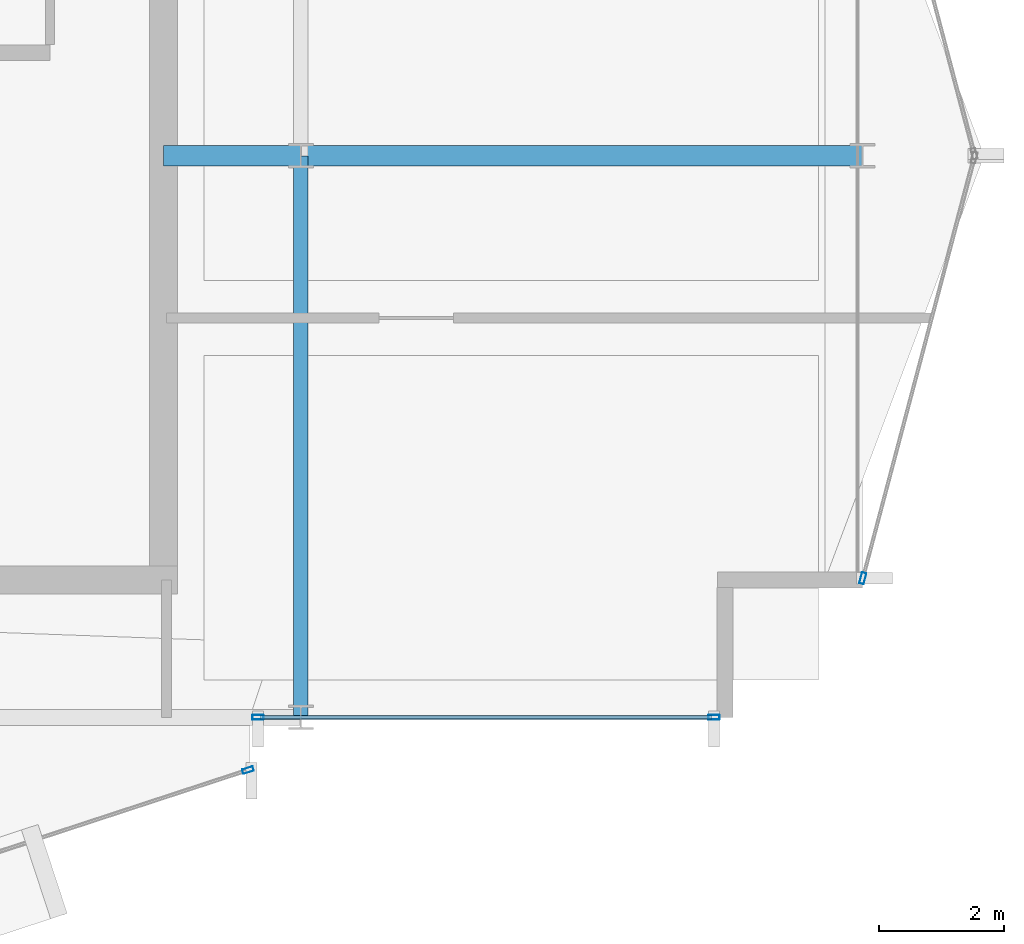
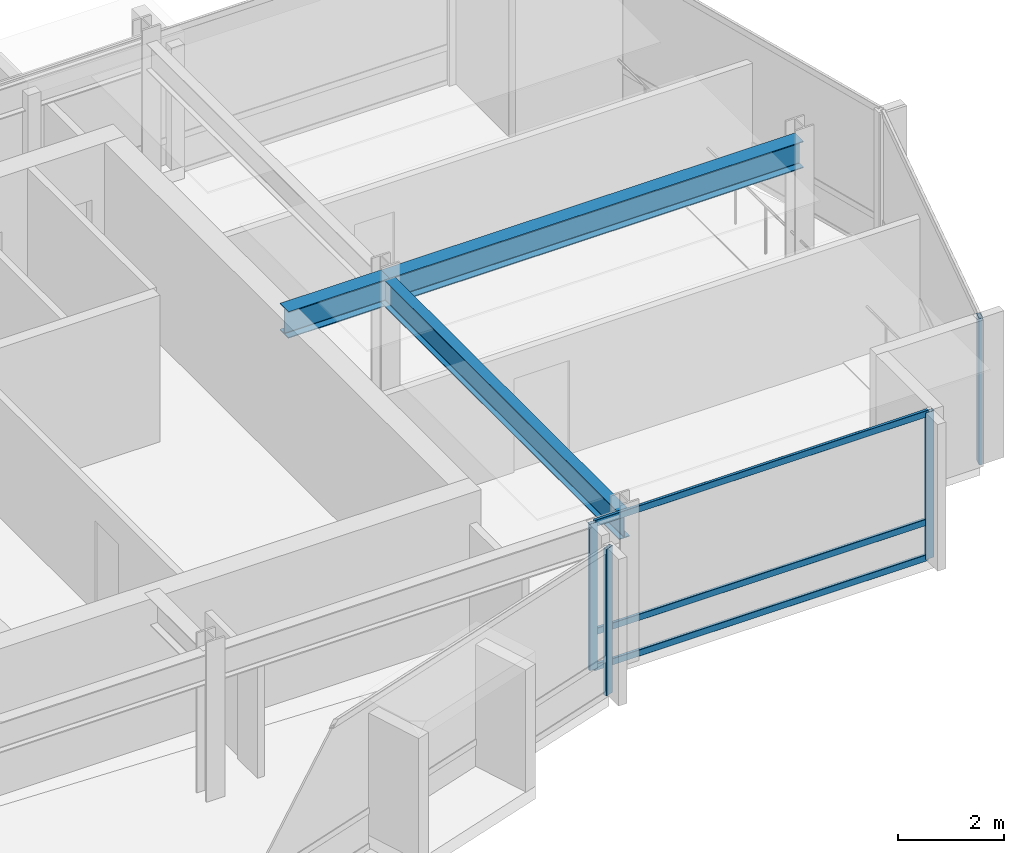
# One storey, part 10 of 27: 7 members, 3 beams, 3 elements without a shape of their own.
"""IFC4 building model written with IfcOpenShell, lengths in metres."""

from ifc_helpers import new_model, si_unit, direction, frame, origin, origin_2d, place, context, subcontext, project, spatial, hollow_rectangle, i_section, extrude, material, layer, layer_set, material_profile, profile_set, type_object, element, aggregate, save


model = new_model("IFC4")

# Units and contexts
model_context = context("Model", 3, precision=1e-05, world=origin(), true_north=direction((0.0, 1.0)))
body_context = subcontext(model_context, "Body", "Model", "MODEL_VIEW")
ifc_project = project(units=[si_unit("LENGTHUNIT", "METRE"), si_unit("AREAUNIT", "SQUARE_METRE"), si_unit("VOLUMEUNIT", "CUBIC_METRE"), si_unit("PLANEANGLEUNIT", "RADIAN"), si_unit("MASSUNIT", "GRAM", prefix="KILO")], contexts=[model_context])

# Site, building, storey
site_placement = place(None, origin())
site = spatial("IfcSite", under=ifc_project, at=site_placement, CompositionType="ELEMENT")
building_placement = place(site_placement, origin())
building = spatial("IfcBuilding", under=site, at=building_placement, Name="Solvaryn Broadcast Tower", CompositionType="ELEMENT")
storey_placement = place(building_placement, frame((0.0, 0.0, 232.10009765625)))
storey = spatial("IfcBuildingStorey", under=building, at=storey_placement, Name="L58", CompositionType="ELEMENT", Elevation=232.10009765625)

# Beams
ifc_material_1 = material(Name="Steel ASTM A992 Grade 50", Category="steel")
ifc_material_profile_1 = material_profile(ifc_material_1, i_section(OverallWidth=0.323974609375, OverallDepth=0.611083984375, WebThickness=0.0126953125, FlangeThickness=0.01904296875, FilletRadius=0.014892578125, at=origin_2d()))
ifc_profile_set_1 = profile_set([ifc_material_profile_1], Name="Steel ASTM A992 Grade 50")
beam_type_1 = type_object("IfcBeamType", Name="BM-B1-W24X104", PredefinedType="BEAM", material=ifc_profile_set_1)
beam_1_placement = place(storey_placement, frame((45.0, 18.0, 3.064453125), z_axis=(1.0, 0.0, 0.0), x_axis=(0.0, 1.0, 0.0)))
element("IfcBeam", 1, at=beam_1_placement, inside=storey, type_object=beam_type_1, Name="L58 Primary Beam X (45-54 @ Y=18)", PredefinedType="BEAM", context=body_context, shape_type="SweptSolid", body=[
    extrude(i_section(OverallWidth=0.323974609375, OverallDepth=0.611083984375, WebThickness=0.0126953125, FlangeThickness=0.01904296875, FilletRadius=0.014892578125, at=origin_2d()), origin(), (0.0, 0.0, 1.0), 9.0),
])
beam_2_placement = place(storey_placement, frame((42.800048828125, 18.0, 3.064453125), z_axis=(1.0, 0.0, 0.0), x_axis=(0.0, 1.0, 0.0)))
element("IfcBeam", 2, at=beam_2_placement, inside=storey, type_object=beam_type_1, Name="L58 Core Tie Beam CTE3", PredefinedType="BEAM", context=body_context, shape_type="SweptSolid", body=[
    extrude(i_section(OverallWidth=0.323974609375, OverallDepth=0.611083984375, WebThickness=0.0126953125, FlangeThickness=0.01904296875, FilletRadius=0.014892578125, at=origin_2d()), origin(), (0.0, 0.0, 1.0), 2.199951171875),
])
ifc_material_2 = material(Name="Steel ASTM A992 Grade 50", Category="steel")
ifc_material_profile_2 = material_profile(ifc_material_2, i_section(OverallWidth=0.22802734375, OverallDepth=0.60791015625, WebThickness=0.01123046875, FlangeThickness=0.017333984375, FilletRadius=0.014892578125, at=origin_2d()))
ifc_profile_set_2 = profile_set([ifc_material_profile_2], Name="Steel ASTM A992 Grade 50")
beam_type_2 = type_object("IfcBeamType", Name="BM-B2-W24X76", PredefinedType="BEAM", material=ifc_profile_set_2)
beam_3_placement = place(storey_placement, frame((45.0, 9.0, 3.06591796875), z_axis=(0.0, 1.0, 0.0), x_axis=(-1.0, 0.0, 0.0)))
element("IfcBeam", 3, at=beam_3_placement, inside=storey, type_object=beam_type_2, Name="L58 Primary Beam Y (9-18 @ X=45)", PredefinedType="BEAM", context=body_context, shape_type="SweptSolid", body=[
    extrude(i_section(OverallWidth=0.22802734375, OverallDepth=0.60791015625, WebThickness=0.01123046875, FlangeThickness=0.017333984375, FilletRadius=0.014892578125, at=origin_2d()), origin(), (0.0, 0.0, 1.0), 9.0),
])

# Curtain wall, member
ifc_material_3 = material(Name="Aluminium and Terracotta Unitised Curtain Wall", Category="masonry")
ifc_layer = layer(ifc_material_3, 0.199951171875)
ifc_layer_set = layer_set([ifc_layer], Name="CW-SYS2-LOWMID")
curtain_wall_type = type_object("IfcCurtainWallType", Name="CW-SYS2-LOWMID", PredefinedType="NOTDEFINED", material=ifc_layer_set)
curtain_wall_1_placement = place(storey_placement, origin())
curtain_wall_1 = element("IfcCurtainWall", 4, at=curtain_wall_1_placement, inside=storey, type_object=curtain_wall_type, Name="L58 Curtain Wall DR4", PredefinedType="NOTDEFINED")
ifc_material_4 = material(Name="Anodised Aluminium 6063-T6", Category="aluminium")
ifc_material_profile_3 = material_profile(ifc_material_4, hollow_rectangle(XDim=0.074951171875, YDim=0.179931640625, WallThickness=0.00390625, InnerFilletRadius=0.00390625, OuterFilletRadius=0.008056640625, at=origin_2d()))
ifc_profile_set_3 = profile_set([ifc_material_profile_3], Name="Anodised Aluminium 6063-T6")
member_type_1 = type_object("IfcMemberType", Name="CW-MUL-180", PredefinedType="MULLION", material=ifc_profile_set_3)
member_1_placement = place(storey_placement, frame((44.153564453125, 8.153564453125, 0.0), z_axis=(0.0, 0.0, 1.0), x_axis=(-0.311558717623, 0.950226902099, 0.0)))
member_1 = element("IfcMember", 5, at=member_1_placement, type_object=member_type_1, Name="CWS2 mullion 2", PredefinedType="MULLION", context=body_context, shape_type="SweptSolid", body=[
    extrude(hollow_rectangle(XDim=0.074951171875, YDim=0.179931640625, WallThickness=0.00390625, InnerFilletRadius=0.00390625, OuterFilletRadius=0.008056640625, at=origin_2d()), origin(), (0.0, 0.0, 1.0), 3.369873046875),
])
aggregate(curtain_wall_1, [member_1])

# Curtain wall, members
curtain_wall_2_placement = place(storey_placement, origin())
curtain_wall_2 = element("IfcCurtainWall", 6, at=curtain_wall_2_placement, inside=storey, type_object=curtain_wall_type, Name="L58 Curtain Wall S2", PredefinedType="NOTDEFINED")
member_2_placement = place(storey_placement, frame((44.31201171875, 9.0, 0.0), z_axis=(0.0, 0.0, 1.0), x_axis=(0.0, 1.0, 0.0)))
member_2 = element("IfcMember", 7, at=member_2_placement, type_object=member_type_1, Name="CWS2 mullion 1", PredefinedType="MULLION", context=body_context, shape_type="SweptSolid", body=[
    extrude(hollow_rectangle(XDim=0.074951171875, YDim=0.179931640625, WallThickness=0.00390625, InnerFilletRadius=0.00390625, OuterFilletRadius=0.008056640625, at=origin_2d()), origin(), (0.0, 0.0, 1.0), 3.369873046875),
])
member_3_placement = place(storey_placement, frame((51.6201171875, 9.0, 0.0), z_axis=(0.0, 0.0, 1.0), x_axis=(0.0, 1.0, 0.0)))
member_3 = element("IfcMember", 8, at=member_3_placement, type_object=member_type_1, Name="CWS2 mullion 2", PredefinedType="MULLION", context=body_context, shape_type="SweptSolid", body=[
    extrude(hollow_rectangle(XDim=0.074951171875, YDim=0.179931640625, WallThickness=0.00390625, InnerFilletRadius=0.00390625, OuterFilletRadius=0.008056640625, at=origin_2d()), origin(), (0.0, 0.0, 1.0), 3.369873046875),
])

# Curtain wall, member
curtain_wall_3_placement = place(storey_placement, origin())
curtain_wall_3 = element("IfcCurtainWall", 9, at=curtain_wall_3_placement, inside=storey, type_object=curtain_wall_type, Name="L58 Curtain Wall ET2", PredefinedType="NOTDEFINED")
member_4_placement = place(storey_placement, frame((54.007568359375, 11.22900390625, 0.0), z_axis=(0.0, 0.0, 1.0), x_axis=(0.966705227863, -0.25589256031, 0.0)))
member_4 = element("IfcMember", 10, at=member_4_placement, type_object=member_type_1, Name="CWS2 mullion 2", PredefinedType="MULLION", context=body_context, shape_type="SweptSolid", body=[
    extrude(hollow_rectangle(XDim=0.074951171875, YDim=0.179931640625, WallThickness=0.00390625, InnerFilletRadius=0.00390625, OuterFilletRadius=0.008056640625, at=origin_2d()), origin(), (0.0, 0.0, 1.0), 3.369873046875),
])
aggregate(curtain_wall_3, [member_4])

# Member
ifc_material_5 = material(Name="Anodised Aluminium 6063-T6", Category="aluminium")
ifc_material_profile_4 = material_profile(ifc_material_5, hollow_rectangle(XDim=0.06494140625, YDim=0.14990234375, WallThickness=0.00390625, InnerFilletRadius=0.00390625, OuterFilletRadius=0.008056640625, at=origin_2d()))
ifc_profile_set_4 = profile_set([ifc_material_profile_4], Name="Anodised Aluminium 6063-T6")
member_type_2 = type_object("IfcMemberType", Name="CW-TRN-150", PredefinedType="USERDEFINED", material=ifc_profile_set_4)
member_5_placement = place(storey_placement, frame((44.342041015625, 9.0, 0.02978515625), z_axis=(1.0, 0.0, 0.0), x_axis=(0.0, 1.0, 0.0)))
member_5 = element("IfcMember", 11, at=member_5_placement, type_object=member_type_2, Name="CWS2 transom 1.1", ObjectType="TRANSOM", PredefinedType="USERDEFINED", context=body_context, shape_type="SweptSolid", body=[
    extrude(hollow_rectangle(XDim=0.06494140625, YDim=0.14990234375, WallThickness=0.00390625, InnerFilletRadius=0.00390625, OuterFilletRadius=0.008056640625, at=origin_2d()), origin(), (0.0, 0.0, 1.0), 7.248046875),
])

member_6_placement = place(storey_placement, frame((44.342041015625, 9.0, 0.849853515625), z_axis=(1.0, 0.0, 0.0), x_axis=(0.0, 1.0, 0.0)))
member_6 = element("IfcMember", 12, at=member_6_placement, type_object=member_type_2, Name="CWS2 transom 1.2", ObjectType="TRANSOM", PredefinedType="USERDEFINED", context=body_context, shape_type="SweptSolid", body=[
    extrude(hollow_rectangle(XDim=0.06494140625, YDim=0.14990234375, WallThickness=0.00390625, InnerFilletRadius=0.00390625, OuterFilletRadius=0.008056640625, at=origin_2d()), origin(), (0.0, 0.0, 1.0), 7.248046875),
])

member_7_placement = place(storey_placement, frame((44.342041015625, 9.0, 3.33984375), z_axis=(1.0, 0.0, 0.0), x_axis=(0.0, 1.0, 0.0)))
member_7 = element("IfcMember", 13, at=member_7_placement, type_object=member_type_2, Name="CWS2 transom 1.3", ObjectType="TRANSOM", PredefinedType="USERDEFINED", context=body_context, shape_type="SweptSolid", body=[
    extrude(hollow_rectangle(XDim=0.06494140625, YDim=0.14990234375, WallThickness=0.00390625, InnerFilletRadius=0.00390625, OuterFilletRadius=0.008056640625, at=origin_2d()), origin(), (0.0, 0.0, 1.0), 7.248046875),
])

aggregate(curtain_wall_2, [member_2, member_3, member_5, member_6, member_7])

save(model, "model.ifc")
